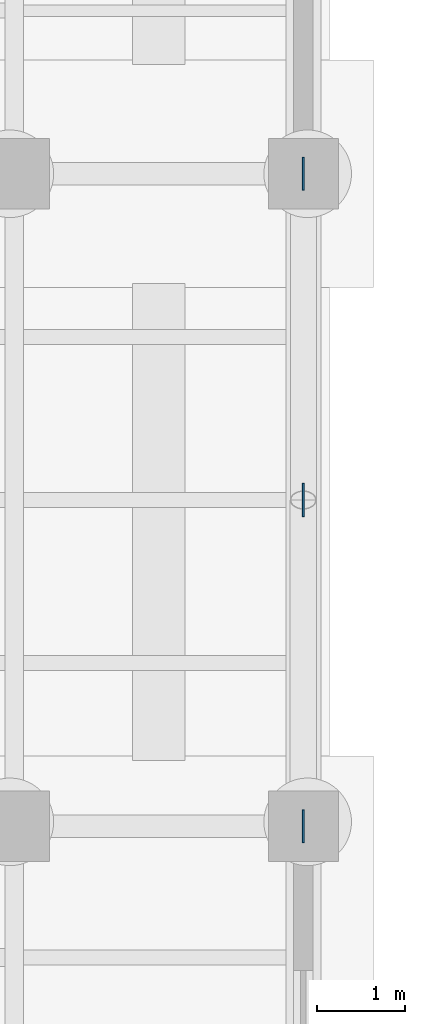
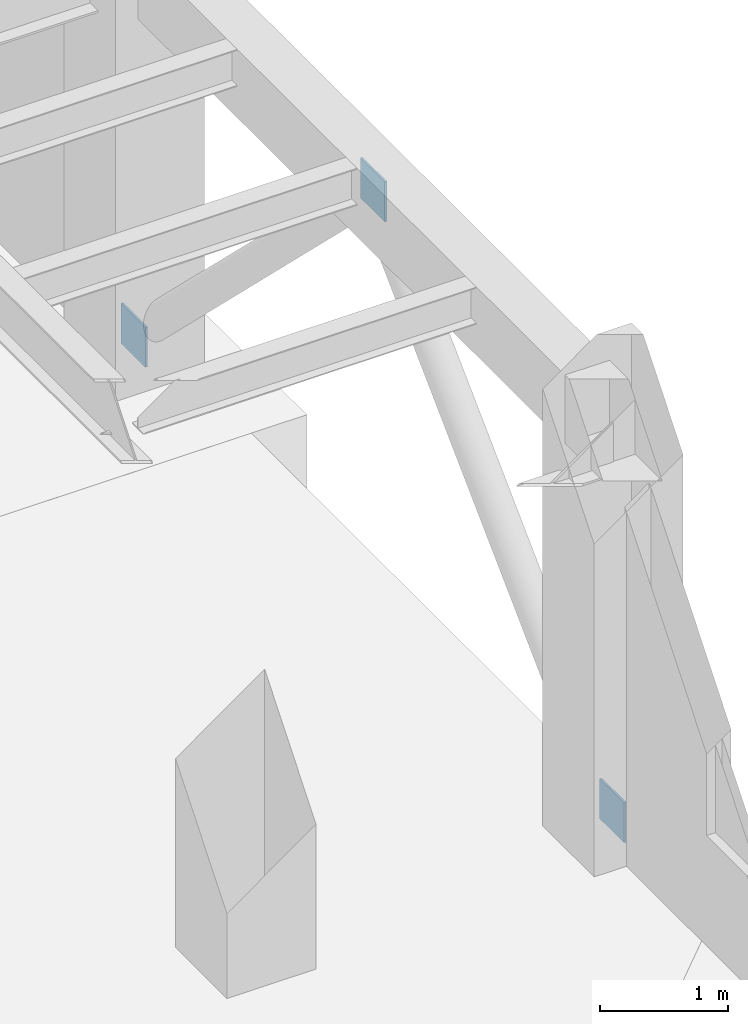
# One storey, part 25 of 41: 3 plates.
"""IFC4 building model written with IfcOpenShell, lengths in metres."""

import ifcopenshell
import ifcopenshell.guid

model = None  # the IFC model being written
_history = None  # IfcOwnerHistory: only IFC2X3 demands one
_inside = {}  # id of a spatial element -> (the spatial element, [elements in it])
_under = {}  # id of a project, library or spatial element -> (it, [spatial elements below it])
_declared = {}  # id of a project -> (the project, [libraries it declares])
_typed = {}  # id of a type object -> (the type object, [elements of that type])
_made_of = {}  # id of a material, layer set ... -> (it, [elements and type objects made of it])


def new_model(schema):
    """Start an empty IFC model of exactly this schema.

    Asked for "IFC4X3", IfcOpenShell would pick the latest addendum, in which some entities
    have other attributes; the version numbers below select the first issue.
    IFC2X3 requires an IfcOwnerHistory on every rooted entity: one is made here for all.
    """
    global model, _history
    if schema == "IFC4X3":
        model = ifcopenshell.file(schema_version=(4, 3, 0, 0))
    else:
        model = ifcopenshell.file(schema=schema)
    _inside.clear()
    _under.clear()
    _declared.clear()
    _typed.clear()
    _made_of.clear()
    _history = None
    if model.schema == "IFC2X3":
        org = make("IfcOrganization", Name="unknown")
        user = make(
            "IfcPersonAndOrganization",
            ThePerson=make("IfcPerson", FamilyName="unknown"),
            TheOrganization=org,
        )
        app = make(
            "IfcApplication",
            ApplicationDeveloper=org,
            Version="unknown",
            ApplicationFullName="unknown",
            ApplicationIdentifier="unknown",
        )
        _history = make(
            "IfcOwnerHistory",
            OwningUser=user,
            OwningApplication=app,
            ChangeAction="ADDED",
            CreationDate=0,
        )
    return model


def make(cls, **values):
    """One entity of the class cls with the attributes given. An attribute that is None is left unset."""
    return model.create_entity(
        cls, **{name: value for name, value in values.items() if value is not None}
    )


def rooted(cls, **values):
    """An entity with a GlobalId (a new one), such as an element, a storey or a relation."""
    return make(cls, GlobalId=ifcopenshell.guid.new(), OwnerHistory=_history, **values)


def si_unit(unit_type, name, prefix=None):
    """IfcSIUnit, for example si_unit("LENGTHUNIT", "METRE", prefix="MILLI")."""
    return make("IfcSIUnit", UnitType=unit_type, Prefix=prefix, Name=name)


def assignment(units):
    """IfcUnitAssignment: the units of a project."""
    return None if units is None else make("IfcUnitAssignment", Units=units)


def point(xyz):
    """IfcCartesianPoint."""
    return None if xyz is None else make("IfcCartesianPoint", Coordinates=xyz)


def direction(xyz):
    """IfcDirection."""
    return None if xyz is None else make("IfcDirection", DirectionRatios=xyz)


def frame(location, z_axis=None, x_axis=None):
    """IfcAxis2Placement3D, a coordinate frame: its origin and axes. An axis left out is left unset."""
    return make(
        "IfcAxis2Placement3D",
        Location=point(location),
        Axis=direction(z_axis),
        RefDirection=direction(x_axis),
    )


def frame_2d(location, x_axis=None):
    """IfcAxis2Placement2D, a coordinate frame in the plane: its origin and x axis."""
    return make(
        "IfcAxis2Placement2D", Location=point(location), RefDirection=direction(x_axis)
    )


def origin():
    """The frame at (0, 0, 0) with its axes left unset."""
    return frame((0.0, 0.0, 0.0))


def origin_2d():
    """The frame at (0, 0) in the plane with its x axis left unset."""
    return frame_2d((0.0, 0.0))


def place(relative_to, where):
    """IfcLocalPlacement: puts the frame where relative to a parent placement (None: the world)."""
    return make(
        "IfcLocalPlacement", PlacementRelTo=relative_to, RelativePlacement=where
    )


def context(
    kind, dimensions, precision=None, world=None, true_north=None, identifier=None
):
    """IfcGeometricRepresentationContext, for example the 3D "Model" context."""
    return make(
        "IfcGeometricRepresentationContext",
        ContextIdentifier=identifier,
        ContextType=kind,
        CoordinateSpaceDimension=dimensions,
        Precision=precision,
        WorldCoordinateSystem=world,
        TrueNorth=true_north,
    )


def subcontext(parent, identifier, kind, view, scale=None):
    """IfcGeometricRepresentationSubContext, for example "Body" below "Model"."""
    return make(
        "IfcGeometricRepresentationSubContext",
        ContextIdentifier=identifier,
        ContextType=kind,
        ParentContext=parent,
        TargetScale=scale,
        TargetView=view,
    )


def project(units=None, contexts=None):
    """IfcProject with its units and contexts."""
    return rooted(
        "IfcProject",
        Name="project",
        RepresentationContexts=contexts,
        UnitsInContext=assignment(units),
    )


def spatial(cls, under=None, at=None, **own):
    """A site, building, storey or space (cls), placed at a placement, below another one or the project."""
    s = rooted(cls, ObjectPlacement=at, **own)
    if under is not None:
        _under.setdefault(under.id(), (under, []))[1].append(s)
    return s


def profile(cls, at=None, kind="AREA", **sizes):
    """A parametric profile (cls). Its sizes go by their IFC names, for example OverallWidth=200.0."""
    return make(cls, ProfileType=kind, Position=at, **sizes)


def rectangle(**sizes):
    """IfcRectangleProfileDef."""
    return profile("IfcRectangleProfileDef", **sizes)


def extrude(swept, where, along, depth):
    """IfcExtrudedAreaSolid: the profile swept, set in the frame where, extruded along a direction by depth."""
    return make(
        "IfcExtrudedAreaSolid",
        SweptArea=swept,
        Position=where,
        ExtrudedDirection=direction(along),
        Depth=depth,
    )


def shape(context_of_items, identifier, shape_type, items):
    """IfcShapeRepresentation: the items that make up one representation, for example the "Body"."""
    return make(
        "IfcShapeRepresentation",
        ContextOfItems=context_of_items,
        RepresentationIdentifier=identifier,
        RepresentationType=shape_type,
        Items=items,
    )


def material(Name=None, Category=None):
    """IfcMaterial."""
    return make("IfcMaterial", Name=Name, Category=Category)


def layer(
    of_material, thickness, ventilated=None, Name=None, Category=None, Priority=None
):
    """IfcMaterialLayer: one layer of a wall or slab, of a material (None: an air gap)."""
    return make(
        "IfcMaterialLayer",
        Material=of_material,
        LayerThickness=thickness,
        IsVentilated=ventilated,
        Name=Name,
        Category=Category,
        Priority=Priority,
    )


def layer_set(layers, Name=None):
    """IfcMaterialLayerSet."""
    return make("IfcMaterialLayerSet", MaterialLayers=layers, LayerSetName=Name)


def made_of(thing, what):
    """Note that an element or type object is made of a material, layer set ...; save() writes the relation."""
    if what is not None:
        _made_of.setdefault(what.id(), (what, []))[1].append(thing)
    return thing


def type_object(cls, material=None, **own):
    """A type object (cls), such as IfcWallType, which elements share."""
    return made_of(rooted(cls, **own), material)


def element(
    cls,
    number,
    at=None,
    inside=None,
    cuts=None,
    type_object=None,
    material=None,
    context=None,
    identifier="Body",
    shape_type=None,
    held_by="IfcProductDefinitionShape",
    body=None,
    shapes=None,
    **own,
):
    """One element of the class cls, such as IfcWall. Its Tag is "e" and its number.

    at: its placement. inside: the storey or other place that contains it. cuts: it is an
    opening in that element (IfcRelVoidsElement). A single representation is given by context,
    identifier, shape_type and body (its items); several are given by shapes. held_by: the class
    of the entity that holds the representations. save() writes the other relations.
    """
    e = rooted(cls, Tag="e%d" % number, ObjectPlacement=at, **own)
    if body is not None:
        shapes = [shape(context, identifier, shape_type, body)]
    if shapes is not None:
        e.Representation = make(held_by, Representations=shapes)
    if inside is not None:
        _inside.setdefault(inside.id(), (inside, []))[1].append(e)
    if cuts is not None:
        rooted(
            "IfcRelVoidsElement", RelatingBuildingElement=cuts, RelatedOpeningElement=e
        )
    if type_object is not None:
        _typed.setdefault(type_object.id(), (type_object, []))[1].append(e)
    return made_of(e, material)


def aggregate(whole, parts):
    """IfcRelAggregates: a whole, such as a stair, and the parts it consists of."""
    return rooted("IfcRelAggregates", RelatingObject=whole, RelatedObjects=parts)


def save(model, path):
    """Write the relations noted so far, then the file.

    IfcRelAggregates (storeys below a building ...), IfcRelContainedInSpatialStructure (elements
    in a storey), IfcRelDefinesByType, IfcRelAssociatesMaterial and IfcRelDeclares: one each for
    every whole, place, type object, material and project.
    """
    for whole, parts in _under.values():
        aggregate(whole, parts)
    for where, things in _inside.values():
        rooted(
            "IfcRelContainedInSpatialStructure",
            RelatedElements=things,
            RelatingStructure=where,
        )
    for kind, things in _typed.values():
        rooted("IfcRelDefinesByType", RelatedObjects=things, RelatingType=kind)
    for what, things in _made_of.values():
        rooted("IfcRelAssociatesMaterial", RelatedObjects=things, RelatingMaterial=what)
    for by, libraries in _declared.values():
        rooted("IfcRelDeclares", RelatingContext=by, RelatedDefinitions=libraries)
    model.write(path)


model = new_model("IFC4")

# Units and contexts
model_context = context("Model", 3, precision=1e-05, world=origin(), true_north=direction((0.0, 1.0)))
body_context = subcontext(model_context, "Body", "Model", "MODEL_VIEW")
ifc_project = project(units=[si_unit("LENGTHUNIT", "METRE"), si_unit("AREAUNIT", "SQUARE_METRE"), si_unit("VOLUMEUNIT", "CUBIC_METRE"), si_unit("PLANEANGLEUNIT", "RADIAN"), si_unit("MASSUNIT", "GRAM", prefix="KILO")], contexts=[model_context])

# Site, building, storey
site_placement = place(None, origin())
site = spatial("IfcSite", under=ifc_project, at=site_placement, CompositionType="ELEMENT")
building_placement = place(site_placement, origin())
building = spatial("IfcBuilding", under=site, at=building_placement, Name="Candilejo Ridge Gondola Terminal", CompositionType="ELEMENT")
storey_placement = place(building_placement, origin())
storey = spatial("IfcBuildingStorey", under=building, at=storey_placement, Name="L00", CompositionType="ELEMENT", Elevation=0.0)

# Plates
ifc_material = material(Name="Steel ASTM A572 Grade 50", Category="steel")
ifc_layer = layer(ifc_material, 0.02001953125)
ifc_layer_set = layer_set([ifc_layer], Name="STR-NODE-PLATE-380X380X20")
plate_type = type_object("IfcPlateType", Name="STR-NODE-PLATE-380X380X20", PredefinedType="USERDEFINED", material=ifc_layer_set)
for number, where, z_axis, x_axis, name in (
    (1, (175.300048828125, 14.52490234375, 3.699951171875), (0.0, 0.0, 1.0), (1.0, 0.0, 0.0), "Chevron gusset plate 225"),
    (2, (175.300048828125, 10.800048828125, 0.06005859375), (0.0, 0.0, 1.0), (1.0, 0.0, 0.0), "Chevron gusset plate 226"),
    (3, (175.300048828125, 18.25, 0.06005859375), (0.0, 0.0, 1.0), (1.0, 0.0, 0.0), "Chevron gusset plate 227"),
):
    element("IfcPlate", number, at=place(storey_placement, frame(where, z_axis=z_axis, x_axis=x_axis)), inside=storey, type_object=plate_type, Name=name, ObjectType="NODE PLATE", PredefinedType="USERDEFINED", context=body_context, shape_type="SweptSolid", body=[
        extrude(rectangle(XDim=0.02001953125, YDim=0.3798828125, at=origin_2d()), origin(), (0.0, 0.0, 1.0), 0.3798828125),
    ])

save(model, "model.ifc")
